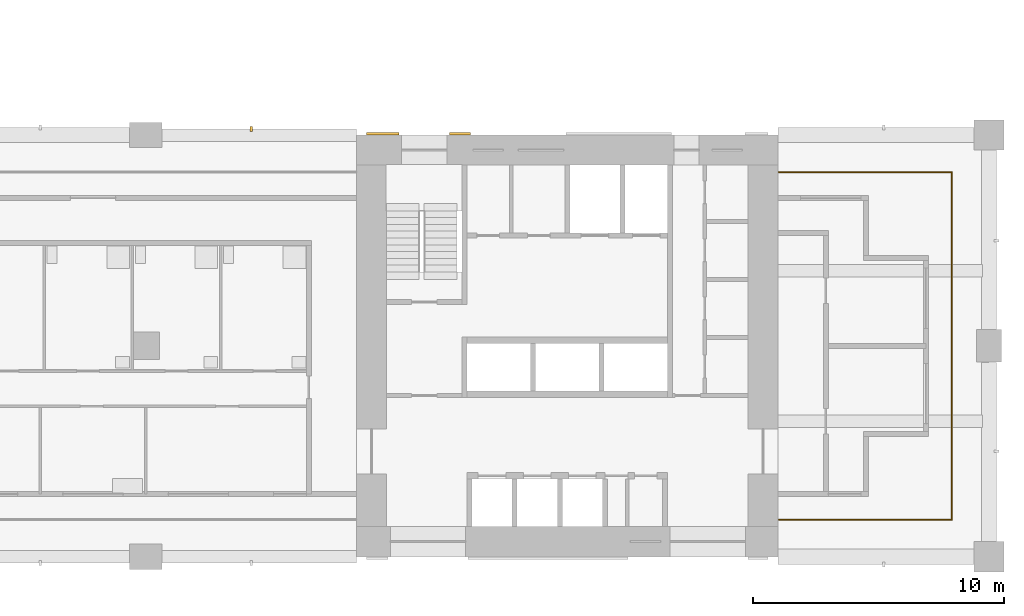
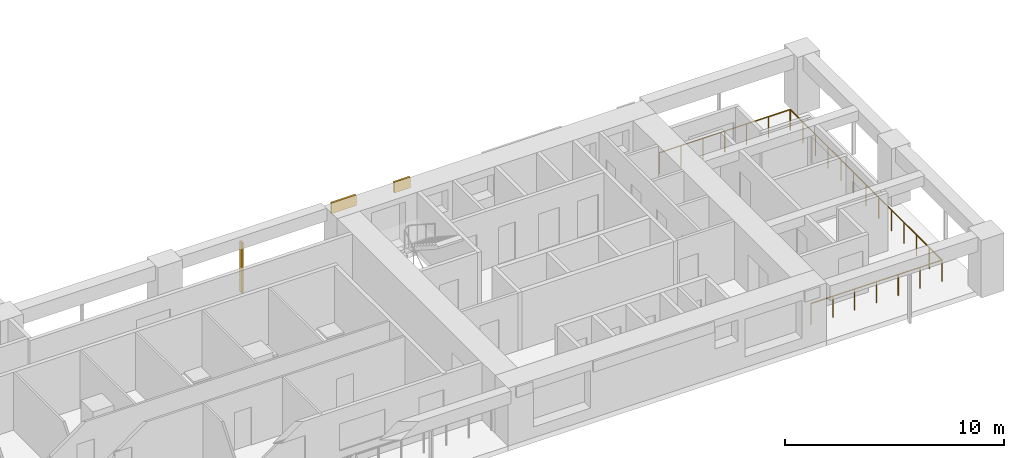
# One storey, part 13 of 17: 3 shading devices, 1 railing.
"""IFC4 building model written with IfcOpenShell, lengths in metres."""

from ifc_helpers import new_model, si_unit, direction, frame, origin, origin_2d, place, context, subcontext, project, spatial, rectangle, circle, extrude, material, layer, layer_set, material_profile, profile_set, type_object, element, save


model = new_model("IFC4")

# Units and contexts
model_context = context("Model", 3, precision=1e-05, world=origin(), true_north=direction((0.0, 1.0)))
body_context = subcontext(model_context, "Body", "Model", "MODEL_VIEW")
ifc_project = project(units=[si_unit("LENGTHUNIT", "METRE"), si_unit("AREAUNIT", "SQUARE_METRE"), si_unit("VOLUMEUNIT", "CUBIC_METRE"), si_unit("PLANEANGLEUNIT", "RADIAN"), si_unit("MASSUNIT", "GRAM", prefix="KILO")], contexts=[model_context])

# Site, building, storey
site_placement = place(None, origin())
site = spatial("IfcSite", under=ifc_project, at=site_placement, CompositionType="ELEMENT")
building_placement = place(site_placement, origin())
building = spatial("IfcBuilding", under=site, at=building_placement, Name="Vermilion Gate Residences", CompositionType="ELEMENT")
storey_placement = place(building_placement, frame((0.0, 0.0, 91.699951171875)))
storey = spatial("IfcBuildingStorey", under=building, at=storey_placement, Name="L22", CompositionType="ELEMENT", Elevation=91.699951171875)

# Railing
ifc_material_1 = material(Name="Stainless steel and toughened glass", Category="steel")
railing_type = type_object("IfcRailingType", Name="LOGGIA GUARD STEEL AND GLASS 1200", PredefinedType="GUARDRAIL", material=ifc_material_1)
railing_placement = place(storey_placement, frame((58.822021484375, 9.875, 0.0)))
element("IfcRailing", 1, at=railing_placement, inside=storey, type_object=railing_type, Name="Loggia guard", PredefinedType="GUARDRAIL", context=body_context, shape_type="SweptSolid", body=[
    extrude(circle(Radius=0.030029296875, at=origin_2d()), frame((0.0, 0.0, 1.169921875), z_axis=(1.0, 0.0, 0.0), x_axis=(0.0, 1.0, 0.0)), (0.0, 0.0, 1.0), 6.903076171875),
    extrude(circle(Radius=0.030029296875, at=origin_2d()), frame((6.903076171875, 0.0, 1.169921875), z_axis=(0.0, 1.0, 0.0), x_axis=(-1.0, 0.0, 0.0)), (0.0, 0.0, 1.0), 13.85009765625),
    extrude(circle(Radius=0.030029296875, at=origin_2d()), frame((6.903076171875, 13.85009765625, 1.169921875), z_axis=(-1.0, 0.0, 0.0), x_axis=(0.0, -1.0, 0.0)), (0.0, 0.0, 1.0), 6.903076171875),
    extrude(circle(Radius=0.02490234375, at=origin_2d()), origin(), (0.0, 0.0, 1.0), 1.139892578125),
    extrude(circle(Radius=0.02490234375, at=origin_2d()), frame((1.150390625, 0.0, 0.0)), (0.0, 0.0, 1.0), 1.139892578125),
    extrude(circle(Radius=0.02490234375, at=origin_2d()), frame((2.301025390625, 0.0, 0.0)), (0.0, 0.0, 1.0), 1.139892578125),
    extrude(circle(Radius=0.02490234375, at=origin_2d()), frame((3.45166015625, 0.0, 0.0)), (0.0, 0.0, 1.0), 1.139892578125),
    extrude(circle(Radius=0.02490234375, at=origin_2d()), frame((4.60205078125, 0.0, 0.0)), (0.0, 0.0, 1.0), 1.139892578125),
    extrude(circle(Radius=0.02490234375, at=origin_2d()), frame((5.75244140625, 0.0, 0.0)), (0.0, 0.0, 1.0), 1.139892578125),
    extrude(circle(Radius=0.02490234375, at=origin_2d()), frame((6.903076171875, 0.0, 0.0)), (0.0, 0.0, 1.0), 1.139892578125),
    extrude(circle(Radius=0.02490234375, at=origin_2d()), frame((6.903076171875, 1.154296875, 0.0)), (0.0, 0.0, 1.0), 1.139892578125),
    extrude(circle(Radius=0.02490234375, at=origin_2d()), frame((6.903076171875, 2.308349609375, 0.0)), (0.0, 0.0, 1.0), 1.139892578125),
    extrude(circle(Radius=0.02490234375, at=origin_2d()), frame((6.903076171875, 3.46240234375, 0.0)), (0.0, 0.0, 1.0), 1.139892578125),
    extrude(circle(Radius=0.02490234375, at=origin_2d()), frame((6.903076171875, 4.61669921875, 0.0)), (0.0, 0.0, 1.0), 1.139892578125),
    extrude(circle(Radius=0.02490234375, at=origin_2d()), frame((6.903076171875, 5.77099609375, 0.0)), (0.0, 0.0, 1.0), 1.139892578125),
    extrude(circle(Radius=0.02490234375, at=origin_2d()), frame((6.903076171875, 6.925048828125, 0.0)), (0.0, 0.0, 1.0), 1.139892578125),
    extrude(circle(Radius=0.02490234375, at=origin_2d()), frame((6.903076171875, 8.0791015625, 0.0)), (0.0, 0.0, 1.0), 1.139892578125),
    extrude(circle(Radius=0.02490234375, at=origin_2d()), frame((6.903076171875, 9.2333984375, 0.0)), (0.0, 0.0, 1.0), 1.139892578125),
    extrude(circle(Radius=0.02490234375, at=origin_2d()), frame((6.903076171875, 10.3876953125, 0.0)), (0.0, 0.0, 1.0), 1.139892578125),
    extrude(circle(Radius=0.02490234375, at=origin_2d()), frame((6.903076171875, 11.541748046875, 0.0)), (0.0, 0.0, 1.0), 1.139892578125),
    extrude(circle(Radius=0.02490234375, at=origin_2d()), frame((6.903076171875, 12.69580078125, 0.0)), (0.0, 0.0, 1.0), 1.139892578125),
    extrude(circle(Radius=0.02490234375, at=origin_2d()), frame((6.903076171875, 13.85009765625, 0.0)), (0.0, 0.0, 1.0), 1.139892578125),
    extrude(circle(Radius=0.02490234375, at=origin_2d()), frame((5.75244140625, 13.85009765625, 0.0)), (0.0, 0.0, 1.0), 1.139892578125),
    extrude(circle(Radius=0.02490234375, at=origin_2d()), frame((4.60205078125, 13.85009765625, 0.0)), (0.0, 0.0, 1.0), 1.139892578125),
    extrude(circle(Radius=0.02490234375, at=origin_2d()), frame((3.45166015625, 13.85009765625, 0.0)), (0.0, 0.0, 1.0), 1.139892578125),
    extrude(circle(Radius=0.02490234375, at=origin_2d()), frame((2.301025390625, 13.85009765625, 0.0)), (0.0, 0.0, 1.0), 1.139892578125),
    extrude(circle(Radius=0.02490234375, at=origin_2d()), frame((1.150390625, 13.85009765625, 0.0)), (0.0, 0.0, 1.0), 1.139892578125),
    extrude(circle(Radius=0.02490234375, at=origin_2d()), frame((0.0, 13.85009765625, 0.0)), (0.0, 0.0, 1.0), 1.139892578125),
])

# Shading devices
ifc_material_2 = material(Name="Extruded terracotta", Category="masonry")
ifc_material_profile = material_profile(ifc_material_2, rectangle(XDim=0.199951171875, YDim=0.10009765625, at=origin_2d()), Name="BAGUETTE 100 X 200")
ifc_profile_set = profile_set([ifc_material_profile], Name="Extruded terracotta")
shading_device_type_1 = type_object("IfcShadingDeviceType", Name="TERRACOTTA BAGUETTE 100 X 200", PredefinedType="JALOUSIE", material=ifc_profile_set)
shading_device_1_placement = place(storey_placement, frame((37.800048828125, 25.449951171875, -0.280029296875), z_axis=(0.0, 0.0, 1.0), x_axis=(0.0, -1.0, 0.0)))
element("IfcShadingDevice", 2, at=shading_device_1_placement, inside=storey, type_object=shading_device_type_1, Name="BAGUETTE", PredefinedType="JALOUSIE", context=body_context, shape_type="SweptSolid", body=[
    extrude(rectangle(XDim=0.199951171875, YDim=0.10009765625, at=origin_2d()), origin(), (0.0, 0.0, 1.0), 2.800048828125),
])
ifc_material_3 = material(Name="Extruded terracotta", Category="masonry")
ifc_layer = layer(ifc_material_3, 0.10009765625)
ifc_layer_set = layer_set([ifc_layer], Name="TERRACOTTA SPANDREL BAND 600 X 100")
shading_device_type_2 = type_object("IfcShadingDeviceType", Name="TERRACOTTA SPANDREL BAND 600 X 100", PredefinedType="USERDEFINED", material=ifc_layer_set)
shading_device_2_placement = place(storey_placement, frame((43.050048828125, 25.25, 2.6201171875), z_axis=(0.0, 0.0, 1.0), x_axis=(1.0, 0.0, 0.0)))
element("IfcShadingDevice", 3, at=shading_device_2_placement, inside=storey, type_object=shading_device_type_2, Name="SPANDREL BAND", ObjectType="BAND", PredefinedType="USERDEFINED", context=body_context, shape_type="SweptSolid", body=[
    extrude(rectangle(XDim=1.300048828125, YDim=0.10009765625, at=origin_2d()), origin(), (0.0, 0.0, 1.0), 0.60009765625),
])
shading_device_3_placement = place(storey_placement, frame((46.121826171875, 25.25, 2.6201171875), z_axis=(0.0, 0.0, 1.0), x_axis=(1.0, 0.0, 0.0)))
element("IfcShadingDevice", 4, at=shading_device_3_placement, inside=storey, type_object=shading_device_type_2, Name="SPANDREL BAND", ObjectType="BAND", PredefinedType="USERDEFINED", context=body_context, shape_type="SweptSolid", body=[
    extrude(rectangle(XDim=0.84375, YDim=0.10009765625, at=origin_2d()), origin(), (0.0, 0.0, 1.0), 0.60009765625),
])

save(model, "model.ifc")
